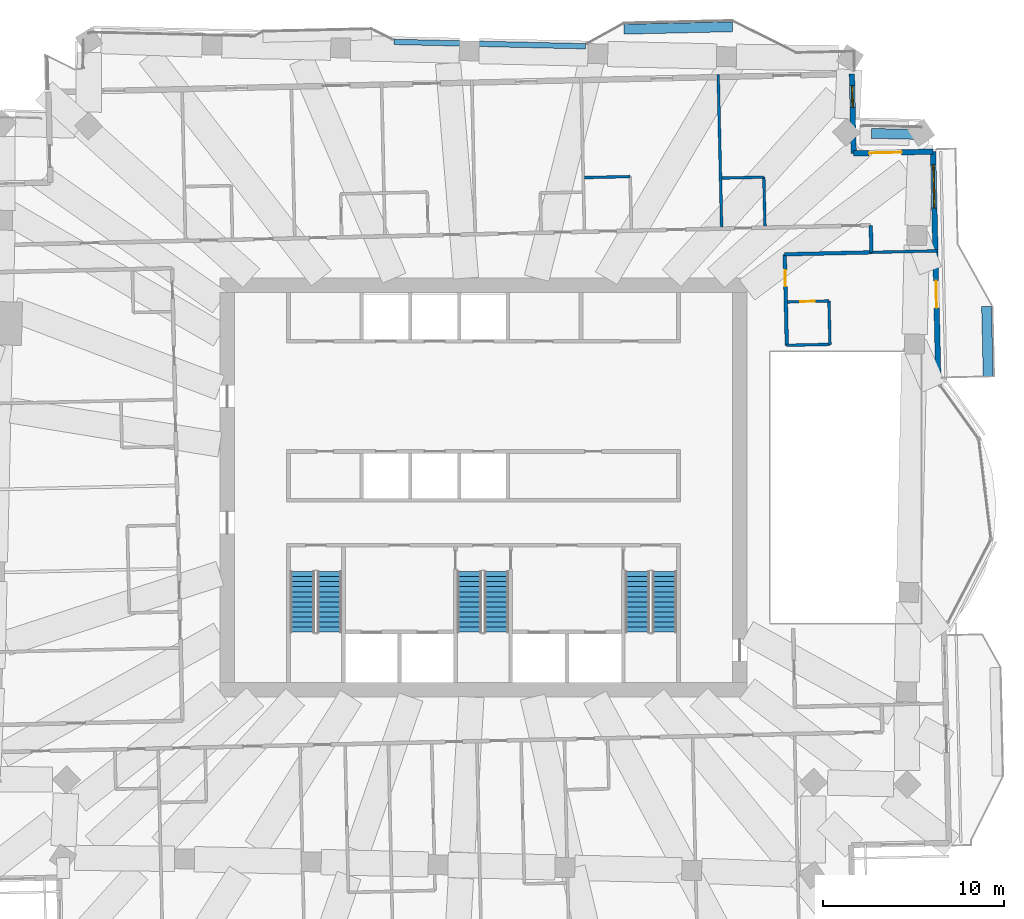
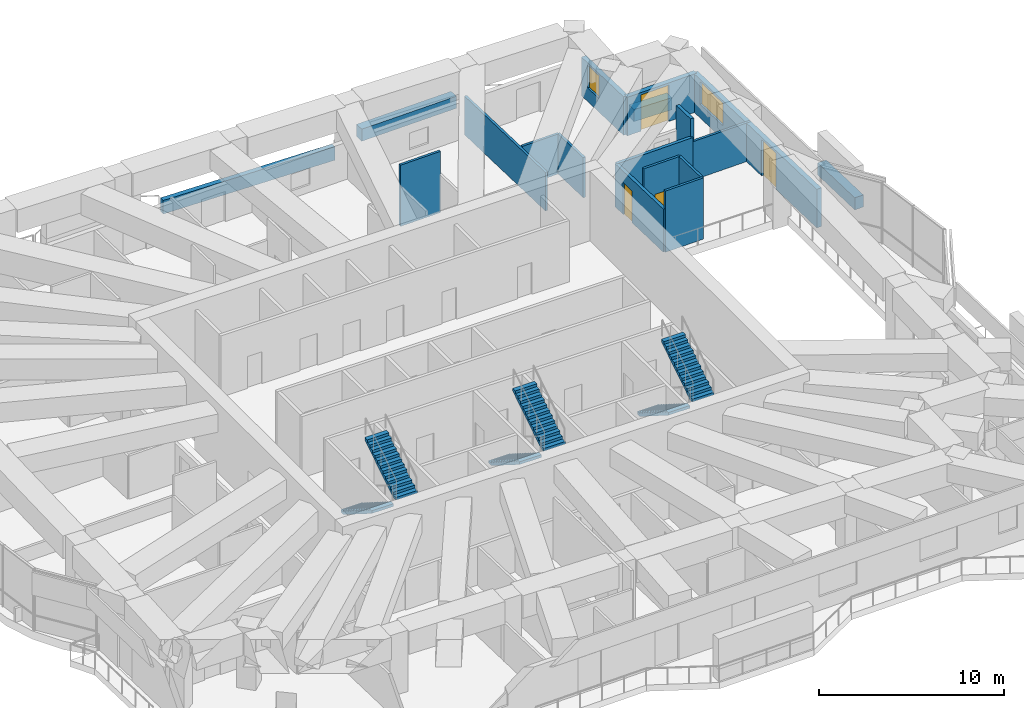
# One storey, part 14 of 19: 18 walls, 6 stair flights, 4 doors, 2 windows, 6 openings, 3 elements without a shape of their own.
"""IFC4 building model written with IfcOpenShell, lengths in metres."""

from ifc_helpers import new_model, si_unit, direction, frame, frame_2d, origin, place, context, subcontext, project, spatial, polyline, rectangle, outline, extrude, material, layer, layer_set, type_object, element, fill, aggregate, save


model = new_model("IFC4")

# Units and contexts
model_context = context("Model", 3, precision=1e-05, world=origin(), true_north=direction((0.0, 1.0)))
body_context = subcontext(model_context, "Body", "Model", "MODEL_VIEW")
ifc_project = project(units=[si_unit("LENGTHUNIT", "METRE"), si_unit("AREAUNIT", "SQUARE_METRE"), si_unit("VOLUMEUNIT", "CUBIC_METRE"), si_unit("PLANEANGLEUNIT", "RADIAN"), si_unit("MASSUNIT", "GRAM", prefix="KILO")], contexts=[model_context])

# Site, building, storey
site_placement = place(None, origin())
site = spatial("IfcSite", under=ifc_project, at=site_placement, CompositionType="ELEMENT")
building_placement = place(site_placement, origin())
building = spatial("IfcBuilding", under=site, at=building_placement, Name="Mangrove Gate Tower", CompositionType="ELEMENT")
storey_placement = place(building_placement, frame((0.0, 0.0, 226.5)))
storey = spatial("IfcBuildingStorey", under=building, at=storey_placement, Name="L57", CompositionType="ELEMENT", Elevation=226.5)

# Wall, opening, door
ifc_material_1 = material(Name="Gypsum board on steel stud, EI 60", Category="steel")
ifc_layer_1 = layer(ifc_material_1, 0.199951171875)
ifc_layer_set_1 = layer_set([ifc_layer_1], Name="Corridor wall EI 60")
wall_type_1 = type_object("IfcWallType", Name="Corridor wall EI 60", PredefinedType="PARTITIONING", material=ifc_layer_set_1)
wall_1_placement = place(storey_placement, frame((16.799072265625, 7.875, 0.0), z_axis=(0.0, 0.0, 1.0), x_axis=(-0.022791754614, 0.999740234222, 0.0)))
wall_1 = element("IfcWall", 1, at=wall_1_placement, inside=storey, type_object=wall_type_1, Name="WALL-L57-037", PredefinedType="PARTITIONING", context=body_context, shape_type="SweptSolid", body=[
    extrude(rectangle(XDim=5.045166015625, YDim=0.199951171875, at=frame_2d((2.5224609375, 0.0))), origin(), (0.0, 0.0, 1.0), 2.85009765625),
])
opening_1_placement = place(wall_1_placement, frame((3.27392578125, 0.0, 0.0)))
opening_1 = element("IfcOpeningElement", 2, at=opening_1_placement, cuts=wall_1, Name="Opening BD", PredefinedType="OPENING", context=body_context, shape_type="SweptSolid", body=[
    extrude(rectangle(XDim=0.89990234375, YDim=2.10009765625, at=frame_2d((0.449951171875, 1.050048828125))), frame((0.0, 0.10986328125, 0.0), z_axis=(0.0, -1.0, 0.0), x_axis=(1.0, 0.0, 0.0)), (0.0, 0.0, 1.0), 0.219970703125),
])
ifc_material_2 = material(Name="Timber door leaf", Category="wood")
door_type_1 = type_object("IfcDoorType", Name="Bedroom door 900", OperationType="SINGLE_SWING_LEFT", PredefinedType="DOOR", material=ifc_material_2)
door_1_placement = place(opening_1_placement, origin())
door_1 = element("IfcDoor", 3, at=door_1_placement, inside=storey, type_object=door_type_1, Name="DOOR-L57-BED-c304", OperationType="SINGLE_SWING_RIGHT", OverallHeight=2.10009765625, OverallWidth=0.89990234375, PredefinedType="DOOR", context=body_context, shape_type="SweptSolid", body=[
    extrude(rectangle(XDim=0.89990234375, YDim=2.10009765625, at=frame_2d((0.449951171875, 1.050048828125))), frame((0.0, 0.02490234375, 0.0), z_axis=(0.0, -1.0, 0.0), x_axis=(1.0, 0.0, 0.0)), (0.0, 0.0, 1.0), 0.050048828125),
])
fill(opening_1, door_1)

# Walls
wall_2_placement = place(storey_placement, frame((16.678955078125, 12.91796875, 0.0), z_axis=(0.0, 0.0, 1.0), x_axis=(0.999741966705, 0.022715633565, 0.0)))
element("IfcWall", 4, at=wall_2_placement, inside=storey, type_object=wall_type_1, Name="WALL-L57-046", PredefinedType="PARTITIONING", context=body_context, shape_type="SweptSolid", body=[
    extrude(rectangle(XDim=4.80419921875, YDim=0.199951171875, at=frame_2d((2.402099609375, 0.0))), origin(), (0.0, 0.0, 1.0), 2.85009765625),
])
wall_3_placement = place(storey_placement, frame((21.48291015625, 13.027099609375, 0.0), z_axis=(0.0, 0.0, 1.0), x_axis=(-0.022617910375, 0.999744182344, 0.0)))
element("IfcWall", 5, at=wall_3_placement, inside=storey, type_object=wall_type_1, Name="WALL-L57-048", PredefinedType="PARTITIONING", context=body_context, shape_type="SweptSolid", body=[
    extrude(rectangle(XDim=1.50048828125, YDim=0.199951171875, at=frame_2d((0.750244140625, 0.0))), origin(), (0.0, 0.0, 1.0), 4.050048828125),
])

# Wall, openings, door, window
ifc_material_3 = material(Name="Limestone", Category="masonry")
ifc_layer_2 = layer(ifc_material_3, 0.0400390625, Name="Limestone cladding")
ifc_material_4 = material(Name="Ventilated air gap")
ifc_layer_3 = layer(ifc_material_4, 0.0400390625, Name="Ventilated cavity")
ifc_material_5 = material(Name="Mineral wool insulation")
ifc_layer_4 = layer(ifc_material_5, 0.06005859375, Name="Insulation")
ifc_material_6 = material(Name="Breather membrane")
ifc_layer_5 = layer(ifc_material_6, 0.001953125, Name="Breather membrane")
ifc_material_7 = material(Name="Concrete C20/25 blockwork", Category="masonry")
ifc_layer_6 = layer(ifc_material_7, 0.14990234375, Name="Blockwork backing wall")
ifc_material_8 = material(Name="Gypsum plaster")
ifc_layer_7 = layer(ifc_material_8, 0.008056640625, Name="Internal plaster")
ifc_layer_set_2 = layer_set([ifc_layer_2, ifc_layer_3, ifc_layer_4, ifc_layer_5, ifc_layer_6, ifc_layer_7], Name="External wall 300 limestone cladding")
wall_type_2 = type_object("IfcWallType", Name="External wall 300 limestone cladding", PredefinedType="SOLIDWALL", material=ifc_layer_set_2)
wall_4_placement = place(storey_placement, frame((25.194091796875, 5.702880859375, 0.0), z_axis=(0.0, 0.0, 1.0), x_axis=(-0.022718397506, 0.999741903901, 0.0)))
wall_4 = element("IfcWall", 6, at=wall_4_placement, inside=storey, type_object=wall_type_2, Name="WALL-L57-E2", PredefinedType="SOLIDWALL", context=body_context, shape_type="SweptSolid", body=[
    extrude(rectangle(XDim=12.906494140625, YDim=0.300048828125, at=frame_2d((6.453125, 0.0))), origin(), (0.0, 0.0, 1.0), 2.550048828125),
])
opening_2_placement = place(wall_4_placement, frame((4.2529296875, 0.0, 0.0)))
opening_2 = element("IfcOpeningElement", 7, at=opening_2_placement, cuts=wall_4, Name="Opening BD1", PredefinedType="OPENING", context=body_context, shape_type="SweptSolid", body=[
    extrude(rectangle(XDim=1.5, YDim=2.39990234375, at=frame_2d((0.75, 1.199951171875))), frame((0.0, 0.159912109375, 0.0), z_axis=(0.0, -1.0, 0.0), x_axis=(1.0, 0.0, 0.0)), (0.0, 0.0, 1.0), 0.320068359375),
])
opening_3_placement = place(wall_4_placement, frame((9.781005859375, 0.0, 0.89990234375)))
opening_3 = element("IfcOpeningElement", 8, at=opening_3_placement, cuts=wall_4, Name="Opening W2", PredefinedType="OPENING", context=body_context, shape_type="SweptSolid", body=[
    extrude(rectangle(XDim=2.39990234375, YDim=1.5, at=frame_2d((1.199951171875, 0.75))), frame((0.0, 0.159912109375, 0.0), z_axis=(0.0, -1.0, 0.0), x_axis=(1.0, 0.0, 0.0)), (0.0, 0.0, 1.0), 0.320068359375),
])
ifc_material_9 = material(Name="Aluminium frame with laminated clear glass", Category="aluminium")
door_type_2 = type_object("IfcDoorType", Name="Balcony sliding door 1500x2400", OperationType="SLIDING_TO_LEFT", PredefinedType="DOOR", material=ifc_material_9)
door_2_placement = place(opening_2_placement, origin())
door_2 = element("IfcDoor", 9, at=door_2_placement, inside=storey, type_object=door_type_2, Name="DOOR-L57-E2-1", OperationType="SLIDING_TO_LEFT", OverallHeight=2.39990234375, OverallWidth=1.5, PredefinedType="DOOR", context=body_context, shape_type="SweptSolid", body=[
    extrude(rectangle(XDim=1.5, YDim=2.39990234375, at=frame_2d((0.75, 1.199951171875))), frame((0.0, 0.02490234375, 0.0), z_axis=(0.0, -1.0, 0.0), x_axis=(1.0, 0.0, 0.0)), (0.0, 0.0, 1.0), 0.050048828125),
])
fill(opening_2, door_2)
ifc_material_10 = material(Name="Aluminium frame with double-glazed low-e glass", Category="aluminium")
window_type_1 = type_object("IfcWindowType", Name="Corner room window 2400x1500", PartitioningType="DOUBLE_PANEL_VERTICAL", PredefinedType="WINDOW", material=ifc_material_10)
window_1_placement = place(opening_3_placement, origin())
window_1 = element("IfcWindow", 10, at=window_1_placement, inside=storey, type_object=window_type_1, Name="WIN-L57-E2-2", OverallHeight=1.5, OverallWidth=2.39990234375, PartitioningType="DOUBLE_PANEL_VERTICAL", PredefinedType="WINDOW", context=body_context, shape_type="SweptSolid", body=[
    extrude(rectangle(XDim=2.39990234375, YDim=1.5, at=frame_2d((1.199951171875, 0.75))), frame((0.0, 0.030029296875, 0.0), z_axis=(0.0, -1.0, 0.0), x_axis=(1.0, 0.0, 0.0)), (0.0, 0.0, 1.0), 0.06005859375),
])
fill(opening_3, window_1)

# Wall, opening, door
wall_5_placement = place(storey_placement, frame((24.90087890625, 18.60595703125, 0.0), z_axis=(0.0, 0.0, 1.0), x_axis=(-0.999747476176, -0.022471846368, 0.0)))
wall_5 = element("IfcWall", 11, at=wall_5_placement, inside=storey, type_object=wall_type_2, Name="WALL-L57-N3", PredefinedType="SOLIDWALL", context=body_context, shape_type="SweptSolid", body=[
    extrude(rectangle(XDim=4.400146484375, YDim=0.300048828125, at=frame_2d((2.2001953125, 0.0))), origin(), (0.0, 0.0, 1.0), 2.550048828125),
])
opening_4_placement = place(wall_5_placement, frame((1.75, 0.0, 0.0)))
opening_4 = element("IfcOpeningElement", 12, at=opening_4_placement, cuts=wall_5, Name="Opening TD1", PredefinedType="OPENING", context=body_context, shape_type="SweptSolid", body=[
    extrude(rectangle(XDim=1.800048828125, YDim=2.39990234375, at=frame_2d((0.89990234375, 1.199951171875))), frame((0.0, 0.159912109375, 0.0), z_axis=(0.0, -1.0, 0.0), x_axis=(1.0, 0.0, 0.0)), (0.0, 0.0, 1.0), 0.320068359375),
])
ifc_material_11 = material(Name="Aluminium frame with laminated clear glass", Category="aluminium")
door_type_3 = type_object("IfcDoorType", Name="Terrace door 1800x2400", OperationType="DOUBLE_DOOR_SINGLE_SWING", PredefinedType="DOOR", material=ifc_material_11)
door_3_placement = place(opening_4_placement, origin())
door_3 = element("IfcDoor", 13, at=door_3_placement, inside=storey, type_object=door_type_3, Name="DOOR-L57-N3-1", OperationType="DOUBLE_DOOR_SINGLE_SWING", OverallHeight=2.39990234375, OverallWidth=1.800048828125, PredefinedType="DOOR", context=body_context, shape_type="SweptSolid", body=[
    extrude(rectangle(XDim=1.800048828125, YDim=2.39990234375, at=frame_2d((0.89990234375, 1.199951171875))), frame((0.0, 0.02490234375, 0.0), z_axis=(0.0, -1.0, 0.0), x_axis=(1.0, 0.0, 0.0)), (0.0, 0.0, 1.0), 0.050048828125),
])
fill(opening_4, door_3)

# Wall, opening, window
wall_6_placement = place(storey_placement, frame((20.501953125, 18.507080078125, 0.0), z_axis=(0.0, 0.0, 1.0), x_axis=(-0.02247683371, 0.999747364061, 0.0)))
wall_6 = element("IfcWall", 14, at=wall_6_placement, inside=storey, type_object=wall_type_2, Name="WALL-L57-E4", PredefinedType="SOLIDWALL", context=body_context, shape_type="SweptSolid", body=[
    extrude(rectangle(XDim=4.399169921875, YDim=0.300048828125, at=frame_2d((2.19970703125, 0.0))), origin(), (0.0, 0.0, 1.0), 2.550048828125),
])
opening_5_placement = place(wall_6_placement, frame((2.551025390625, 0.0, 0.89990234375)))
opening_5 = element("IfcOpeningElement", 15, at=opening_5_placement, cuts=wall_6, Name="Opening W1", PredefinedType="OPENING", context=body_context, shape_type="SweptSolid", body=[
    extrude(rectangle(XDim=1.199951171875, YDim=1.5, at=frame_2d((0.60009765625, 0.75))), frame((0.0, 0.159912109375, 0.0), z_axis=(0.0, -1.0, 0.0), x_axis=(1.0, 0.0, 0.0)), (0.0, 0.0, 1.0), 0.320068359375),
])
ifc_material_12 = material(Name="Aluminium frame with double-glazed low-e glass", Category="aluminium")
window_type_2 = type_object("IfcWindowType", Name="Side lite 1200x1500", PartitioningType="SINGLE_PANEL", PredefinedType="WINDOW", material=ifc_material_12)
window_2_placement = place(opening_5_placement, origin())
window_2 = element("IfcWindow", 16, at=window_2_placement, inside=storey, type_object=window_type_2, Name="WIN-L57-E4-1", OverallHeight=1.5, OverallWidth=1.199951171875, PartitioningType="SINGLE_PANEL", PredefinedType="WINDOW", context=body_context, shape_type="SweptSolid", body=[
    extrude(rectangle(XDim=1.199951171875, YDim=1.5, at=frame_2d((0.60009765625, 0.75))), frame((0.0, 0.030029296875, 0.0), z_axis=(0.0, -1.0, 0.0), x_axis=(1.0, 0.0, 0.0)), (0.0, 0.0, 1.0), 0.06005859375),
])
fill(opening_5, window_2)

# Walls
ifc_layer_8 = layer(ifc_material_3, 0.0400390625, Name="Limestone cladding")
ifc_layer_9 = layer(ifc_material_4, 0.030029296875, Name="Ventilated cavity")
ifc_layer_10 = layer(ifc_material_5, 0.050048828125, Name="Insulation")
ifc_material_13 = material(Name="Concrete C32/40", Category="concrete")
ifc_layer_11 = layer(ifc_material_13, 0.179931640625, Name="Parapet core wall")
ifc_layer_set_3 = layer_set([ifc_layer_8, ifc_layer_9, ifc_layer_10, ifc_layer_11], Name="Parapet 300 limestone")
wall_type_3 = type_object("IfcWallType", Name="Parapet 300 limestone", PredefinedType="PARAPET", material=ifc_layer_set_3)
wall_7_placement = place(storey_placement, frame((-4.9541015625, 24.681884765625, 0.0), z_axis=(0.0, 0.0, 1.0), x_axis=(0.999743616241, -0.0226429191, 0.0)))
element("IfcWall", 17, at=wall_7_placement, inside=storey, type_object=wall_type_3, Name="PARAPET L57 T3.1.1", PredefinedType="PARAPET", context=body_context, shape_type="SweptSolid", body=[
    extrude(rectangle(XDim=10.598876953125, YDim=0.300048828125, at=frame_2d((5.29931640625, 0.0))), origin(), (0.0, 0.0, 1.0), 0.89990234375),
])
ifc_material_14 = material(Name="Gypsum board on steel stud, EI 60", Category="steel")
ifc_layer_12 = layer(ifc_material_14, 0.14990234375)
ifc_layer_set_4 = layer_set([ifc_layer_12], Name="Party wall 150 EI 60")
wall_type_4 = type_object("IfcWallType", Name="Party wall 150 EI 60", PredefinedType="PARTITIONING", material=ifc_layer_set_4)
wall_8_placement = place(storey_placement, frame((19.18798828125, 7.93310546875, 0.0), z_axis=(0.0, 0.0, 1.0), x_axis=(-0.022892431828, 0.999737933943, 0.0)))
element("IfcWall", 18, at=wall_8_placement, inside=storey, type_object=wall_type_4, Name="WALL-L57-038", PredefinedType="PARTITIONING", context=body_context, shape_type="SweptSolid", body=[
    extrude(rectangle(XDim=2.399658203125, YDim=0.14990234375, at=frame_2d((1.19970703125, 0.0))), origin(), (0.0, 0.0, 1.0), 4.050048828125),
])
wall_9_placement = place(storey_placement, frame((16.7939453125, 7.8798828125, 0.0), z_axis=(0.0, 0.0, 1.0), x_axis=(0.999744925027, 0.022585058854, 0.0)))
element("IfcWall", 19, at=wall_9_placement, inside=storey, type_object=wall_type_4, Name="WALL-L57-039", PredefinedType="PARTITIONING", context=body_context, shape_type="SweptSolid", body=[
    extrude(rectangle(XDim=2.39990234375, YDim=0.14990234375, at=frame_2d((1.199951171875, 0.0))), origin(), (0.0, 0.0, 1.0), 4.050048828125),
])

# Wall, opening, door
wall_10_placement = place(storey_placement, frame((16.839111328125, 10.281005859375, 0.0), z_axis=(0.0, 0.0, 1.0), x_axis=(0.999734549456, 0.023039761813, 0.0)))
wall_10 = element("IfcWall", 20, at=wall_10_placement, inside=storey, type_object=wall_type_4, Name="WALL-L57-040", PredefinedType="PARTITIONING", context=body_context, shape_type="SweptSolid", body=[
    extrude(rectangle(XDim=2.299560546875, YDim=0.14990234375, at=frame_2d((1.14990234375, 0.0))), origin(), (0.0, 0.0, 1.0), 4.050048828125),
])
opening_6_placement = place(wall_10_placement, frame((0.699951171875, 0.0, 0.0)))
opening_6 = element("IfcOpeningElement", 21, at=opening_6_placement, cuts=wall_10, Name="Opening ED", PredefinedType="OPENING", context=body_context, shape_type="SweptSolid", body=[
    extrude(rectangle(XDim=0.800048828125, YDim=2.10009765625, at=frame_2d((0.39990234375, 1.050048828125))), frame((0.0, 0.0849609375, 0.0), z_axis=(0.0, -1.0, 0.0), x_axis=(1.0, 0.0, 0.0)), (0.0, 0.0, 1.0), 0.169921875),
])
ifc_material_15 = material(Name="Timber door leaf", Category="wood")
door_type_4 = type_object("IfcDoorType", Name="En-suite door 800", OperationType="SINGLE_SWING_LEFT", PredefinedType="DOOR", material=ifc_material_15)
door_4_placement = place(opening_6_placement, origin())
door_4 = element("IfcDoor", 22, at=door_4_placement, inside=storey, type_object=door_type_4, Name="DOOR-L57-ENS-c304", OperationType="SINGLE_SWING_RIGHT", OverallHeight=2.10009765625, OverallWidth=0.800048828125, PredefinedType="DOOR", context=body_context, shape_type="SweptSolid", body=[
    extrude(rectangle(XDim=0.800048828125, YDim=2.10009765625, at=frame_2d((0.39990234375, 1.050048828125))), frame((0.0, 0.02490234375, 0.0), z_axis=(0.0, -1.0, 0.0), x_axis=(1.0, 0.0, 0.0)), (0.0, 0.0, 1.0), 0.050048828125),
])
fill(opening_6, door_4)

# Walls
wall_11_placement = place(storey_placement, frame((21.48193359375, 13.027099609375, 0.0), z_axis=(0.0, 0.0, 1.0), x_axis=(0.999741664963, 0.022728909705, 0.0)))
element("IfcWall", 23, at=wall_11_placement, inside=storey, type_object=wall_type_4, Name="WALL-L57-047", PredefinedType="PARTITIONING", context=body_context, shape_type="SweptSolid", body=[
    extrude(rectangle(XDim=3.695068359375, YDim=0.14990234375, at=frame_2d((1.84765625, 0.0))), origin(), (0.0, 0.0, 1.0), 2.550048828125),
])
wall_12_placement = place(storey_placement, frame((13.18896484375, 14.43994140625, 0.0), z_axis=(0.0, 0.0, 1.0), x_axis=(-0.022711559831, 0.999742059258, 0.0)))
element("IfcWall", 24, at=wall_12_placement, inside=storey, type_object=wall_type_4, Name="WALL-L57-060", PredefinedType="PARTITIONING", context=body_context, shape_type="SweptSolid", body=[
    extrude(rectangle(XDim=8.44921875, YDim=0.14990234375, at=frame_2d((4.224609375, 0.0))), origin(), (0.0, 0.0, 1.0), 2.550048828125),
])
wall_13_placement = place(storey_placement, frame((15.587890625, 14.493896484375, 0.0), z_axis=(0.0, 0.0, 1.0), x_axis=(-0.022515998029, 0.999746482781, 0.0)))
element("IfcWall", 25, at=wall_13_placement, inside=storey, type_object=wall_type_4, Name="WALL-L57-061", PredefinedType="PARTITIONING", context=body_context, shape_type="SweptSolid", body=[
    extrude(rectangle(XDim=2.699951171875, YDim=0.14990234375, at=frame_2d((1.35009765625, 0.0))), origin(), (0.0, 0.0, 1.0), 2.64990234375),
])
wall_14_placement = place(storey_placement, frame((13.198974609375, 17.14111328125, 0.0), z_axis=(0.0, 0.0, 1.0), x_axis=(0.999749744571, 0.022370700241, 0.0)))
element("IfcWall", 26, at=wall_14_placement, inside=storey, type_object=wall_type_4, Name="WALL-L57-064", PredefinedType="PARTITIONING", context=body_context, shape_type="SweptSolid", body=[
    extrude(rectangle(XDim=2.324462890625, YDim=0.14990234375, at=frame_2d((1.162109375, 0.0))), origin(), (0.0, 0.0, 1.0), 2.64990234375),
])
wall_15_placement = place(storey_placement, frame((5.595947265625, 17.16796875, 0.0), z_axis=(0.0, 0.0, 1.0), x_axis=(0.999743977673, 0.022626955293, 0.0)))
element("IfcWall", 27, at=wall_15_placement, inside=storey, type_object=wall_type_4, Name="WALL-L57-066", PredefinedType="PARTITIONING", context=body_context, shape_type="SweptSolid", body=[
    extrude(rectangle(XDim=2.52490234375, YDim=0.14990234375, at=frame_2d((1.262451171875, 0.0))), origin(), (0.0, 0.0, 1.0), 4.050048828125),
])
ifc_layer_13 = layer(ifc_material_13, 0.199951171875, Name="Planter trough wall")
ifc_material_16 = material(Name="Bituminous waterproofing membrane")
ifc_layer_14 = layer(ifc_material_16, 0.0048828125, Name="Waterproofing")
ifc_material_17 = material(Name="Drainage board and gravel")
ifc_layer_15 = layer(ifc_material_17, 0.044921875, Name="Drainage layer")
ifc_material_18 = material(Name="Planting soil")
ifc_layer_16 = layer(ifc_material_18, 0.300048828125, Name="Growing medium")
ifc_layer_set_5 = layer_set([ifc_layer_13, ifc_layer_14, ifc_layer_15, ifc_layer_16], Name="Planter wall 550 C32/40")
wall_type_5 = type_object("IfcWallType", Name="Planter wall 550 C32/40", PredefinedType="USERDEFINED", material=ifc_layer_set_5)
wall_16_placement = place(storey_placement, frame((27.949951171875, 6.14794921875, 0.0), z_axis=(0.0, 0.0, 1.0), x_axis=(-0.022681332769, 0.999742745482, 0.0)))
element("IfcWall", 28, at=wall_16_placement, inside=storey, type_object=wall_type_5, Name="PLANTER L57 E1.1", ObjectType="PLANTER", PredefinedType="USERDEFINED", context=body_context, shape_type="SweptSolid", body=[
    extrude(rectangle(XDim=3.875, YDim=0.550048828125, at=frame_2d((1.9375, 0.0))), origin(), (0.0, 0.0, 1.0), 0.800048828125),
])
wall_17_placement = place(storey_placement, frame((7.7890625, 25.385009765625, 0.0), z_axis=(0.0, 0.0, 1.0), x_axis=(0.999743094499, 0.022665943652, 0.0)))
element("IfcWall", 29, at=wall_17_placement, inside=storey, type_object=wall_type_5, Name="PLANTER L57 N0.1", ObjectType="PLANTER", PredefinedType="USERDEFINED", context=body_context, shape_type="SweptSolid", body=[
    extrude(rectangle(XDim=5.99951171875, YDim=0.550048828125, at=frame_2d((2.999755859375, 0.0))), origin(), (0.0, 0.0, 1.0), 0.800048828125),
])
wall_18_placement = place(storey_placement, frame((21.48095703125, 19.615966796875, 0.0), z_axis=(0.0, 0.0, 1.0), x_axis=(0.999746842804, -0.02250000673, 0.0)))
element("IfcWall", 30, at=wall_18_placement, inside=storey, type_object=wall_type_5, Name="PLANTER L57 T1.1.6", ObjectType="PLANTER", PredefinedType="USERDEFINED", context=body_context, shape_type="SweptSolid", body=[
    extrude(rectangle(XDim=2.3544921875, YDim=0.550048828125, at=frame_2d((1.17724609375, 0.0))), origin(), (0.0, 0.0, 1.0), 0.800048828125),
])

# Stair, stair flights
ifc_material_19 = material(Name="Concrete C40/50", Category="concrete")
stair_type = type_object("IfcStairType", Name="Core stair 1350", PredefinedType="HALF_TURN_STAIR", material=ifc_material_19)
stair_1_placement = place(storey_placement, origin())
stair_1 = element("IfcStair", 31, at=stair_1_placement, inside=storey, type_object=stair_type, Name="L57 Stair 1", PredefinedType="HALF_TURN_STAIR")
ifc_material_20 = material(Name="Concrete C40/50", Category="concrete")
stair_flight_type = type_object("IfcStairFlightType", Name="Core stair flight 1350", PredefinedType="STRAIGHT", material=ifc_material_20)
stair_flight_1_placement = place(storey_placement, frame((-10.02490234375, -4.64990234375, 0.0), z_axis=(0.0, 0.0, 1.0), x_axis=(0.0, -1.0, 0.0)))
stair_flight_1 = element("IfcStairFlight", 32, at=stair_flight_1_placement, type_object=stair_flight_type, Name="ST1 flight 1", NumberOfRisers=13, NumberOfTreads=12, PredefinedType="STRAIGHT", RiserHeight=0.176923077, TreadLength=0.28, context=body_context, shape_type="SweptSolid", body=[
    extrude(outline(polyline([(0.0, 0.0), (0.0, 0.177001953125), (0.280029296875, 0.177001953125), (0.280029296875, 0.353759765625), (0.56005859375, 0.353759765625), (0.56005859375, 0.53076171875), (0.840087890625, 0.53076171875), (0.840087890625, 0.707763671875), (1.1201171875, 0.707763671875), (1.1201171875, 0.884521484375), (1.39990234375, 0.884521484375), (1.39990234375, 1.0615234375), (1.679931640625, 1.0615234375), (1.679931640625, 1.238525390625), (1.9599609375, 1.238525390625), (1.9599609375, 1.415283203125), (2.239990234375, 1.415283203125), (2.239990234375, 1.59228515625), (2.52001953125, 1.59228515625), (2.52001953125, 1.769287109375), (2.800048828125, 1.769287109375), (2.800048828125, 1.946044921875), (3.080078125, 1.946044921875), (3.080078125, 2.123046875), (3.360107421875, 2.123046875), (3.360107421875, 2.300048828125), (3.360107421875, 1.94580078125), (0.280517578125, 0.0), (0.0, 0.0)])), frame((0.0, 0.675048828125, 0.0), z_axis=(0.0, -1.0, 0.0), x_axis=(1.0, 0.0, 0.0)), (0.0, 0.0, 1.0), 1.35009765625),
])
stair_flight_2_placement = place(storey_placement, frame((-8.52490234375, -8.010009765625, 2.300048828125), z_axis=(0.0, 0.0, 1.0), x_axis=(0.0, 1.0, 0.0)))
stair_flight_2 = element("IfcStairFlight", 33, at=stair_flight_2_placement, type_object=stair_flight_type, Name="ST1 flight 2", NumberOfRisers=13, NumberOfTreads=12, PredefinedType="STRAIGHT", RiserHeight=0.176923077, TreadLength=0.28, context=body_context, shape_type="SweptSolid", body=[
    extrude(outline(polyline([(0.0, 0.0), (0.0, 0.177001953125), (0.280029296875, 0.177001953125), (0.280029296875, 0.353759765625), (0.56005859375, 0.353759765625), (0.56005859375, 0.53076171875), (0.840087890625, 0.53076171875), (0.840087890625, 0.707763671875), (1.1201171875, 0.707763671875), (1.1201171875, 0.884521484375), (1.39990234375, 0.884521484375), (1.39990234375, 1.0615234375), (1.679931640625, 1.0615234375), (1.679931640625, 1.238525390625), (1.9599609375, 1.238525390625), (1.9599609375, 1.415283203125), (2.239990234375, 1.415283203125), (2.239990234375, 1.59228515625), (2.52001953125, 1.59228515625), (2.52001953125, 1.769287109375), (2.800048828125, 1.769287109375), (2.800048828125, 1.946044921875), (3.080078125, 1.946044921875), (3.080078125, 2.123046875), (3.360107421875, 2.123046875), (3.360107421875, 2.300048828125), (3.360107421875, 1.94580078125), (0.280517578125, 0.0), (0.0, 0.0)])), frame((0.0, 0.675048828125, 0.0), z_axis=(0.0, -1.0, 0.0), x_axis=(1.0, 0.0, 0.0)), (0.0, 0.0, 1.0), 1.35009765625),
])
aggregate(stair_1, [stair_flight_1, stair_flight_2])

stair_2_placement = place(storey_placement, origin())
stair_2 = element("IfcStair", 34, at=stair_2_placement, inside=storey, type_object=stair_type, Name="L57 Stair 2", PredefinedType="HALF_TURN_STAIR")
stair_flight_3_placement = place(storey_placement, frame((-0.77490234375, -4.64990234375, 0.0), z_axis=(0.0, 0.0, 1.0), x_axis=(0.0, -1.0, 0.0)))
stair_flight_3 = element("IfcStairFlight", 35, at=stair_flight_3_placement, type_object=stair_flight_type, Name="ST2 flight 1", NumberOfRisers=13, NumberOfTreads=12, PredefinedType="STRAIGHT", RiserHeight=0.176923077, TreadLength=0.28, context=body_context, shape_type="SweptSolid", body=[
    extrude(outline(polyline([(0.0, 0.0), (0.0, 0.177001953125), (0.280029296875, 0.177001953125), (0.280029296875, 0.353759765625), (0.56005859375, 0.353759765625), (0.56005859375, 0.53076171875), (0.840087890625, 0.53076171875), (0.840087890625, 0.707763671875), (1.1201171875, 0.707763671875), (1.1201171875, 0.884521484375), (1.39990234375, 0.884521484375), (1.39990234375, 1.0615234375), (1.679931640625, 1.0615234375), (1.679931640625, 1.238525390625), (1.9599609375, 1.238525390625), (1.9599609375, 1.415283203125), (2.239990234375, 1.415283203125), (2.239990234375, 1.59228515625), (2.52001953125, 1.59228515625), (2.52001953125, 1.769287109375), (2.800048828125, 1.769287109375), (2.800048828125, 1.946044921875), (3.080078125, 1.946044921875), (3.080078125, 2.123046875), (3.360107421875, 2.123046875), (3.360107421875, 2.300048828125), (3.360107421875, 1.94580078125), (0.280517578125, 0.0), (0.0, 0.0)])), frame((0.0, 0.675048828125, 0.0), z_axis=(0.0, -1.0, 0.0), x_axis=(1.0, 0.0, 0.0)), (0.0, 0.0, 1.0), 1.35009765625),
])
stair_flight_4_placement = place(storey_placement, frame((0.72509765625, -8.010009765625, 2.300048828125), z_axis=(0.0, 0.0, 1.0), x_axis=(0.0, 1.0, 0.0)))
stair_flight_4 = element("IfcStairFlight", 36, at=stair_flight_4_placement, type_object=stair_flight_type, Name="ST2 flight 2", NumberOfRisers=13, NumberOfTreads=12, PredefinedType="STRAIGHT", RiserHeight=0.176923077, TreadLength=0.28, context=body_context, shape_type="SweptSolid", body=[
    extrude(outline(polyline([(0.0, 0.0), (0.0, 0.177001953125), (0.280029296875, 0.177001953125), (0.280029296875, 0.353759765625), (0.56005859375, 0.353759765625), (0.56005859375, 0.53076171875), (0.840087890625, 0.53076171875), (0.840087890625, 0.707763671875), (1.1201171875, 0.707763671875), (1.1201171875, 0.884521484375), (1.39990234375, 0.884521484375), (1.39990234375, 1.0615234375), (1.679931640625, 1.0615234375), (1.679931640625, 1.238525390625), (1.9599609375, 1.238525390625), (1.9599609375, 1.415283203125), (2.239990234375, 1.415283203125), (2.239990234375, 1.59228515625), (2.52001953125, 1.59228515625), (2.52001953125, 1.769287109375), (2.800048828125, 1.769287109375), (2.800048828125, 1.946044921875), (3.080078125, 1.946044921875), (3.080078125, 2.123046875), (3.360107421875, 2.123046875), (3.360107421875, 2.300048828125), (3.360107421875, 1.94580078125), (0.280517578125, 0.0), (0.0, 0.0)])), frame((0.0, 0.675048828125, 0.0), z_axis=(0.0, -1.0, 0.0), x_axis=(1.0, 0.0, 0.0)), (0.0, 0.0, 1.0), 1.35009765625),
])
aggregate(stair_2, [stair_flight_3, stair_flight_4])

stair_3_placement = place(storey_placement, origin())
stair_3 = element("IfcStair", 37, at=stair_3_placement, inside=storey, type_object=stair_type, Name="L57 Stair 3", PredefinedType="HALF_TURN_STAIR")
stair_flight_5_placement = place(storey_placement, frame((8.52490234375, -4.64990234375, 0.0), z_axis=(0.0, 0.0, 1.0), x_axis=(0.0, -1.0, 0.0)))
stair_flight_5 = element("IfcStairFlight", 38, at=stair_flight_5_placement, type_object=stair_flight_type, Name="ST3 flight 1", NumberOfRisers=13, NumberOfTreads=12, PredefinedType="STRAIGHT", RiserHeight=0.176923077, TreadLength=0.28, context=body_context, shape_type="SweptSolid", body=[
    extrude(outline(polyline([(0.0, 0.0), (0.0, 0.177001953125), (0.280029296875, 0.177001953125), (0.280029296875, 0.353759765625), (0.56005859375, 0.353759765625), (0.56005859375, 0.53076171875), (0.840087890625, 0.53076171875), (0.840087890625, 0.707763671875), (1.1201171875, 0.707763671875), (1.1201171875, 0.884521484375), (1.39990234375, 0.884521484375), (1.39990234375, 1.0615234375), (1.679931640625, 1.0615234375), (1.679931640625, 1.238525390625), (1.9599609375, 1.238525390625), (1.9599609375, 1.415283203125), (2.239990234375, 1.415283203125), (2.239990234375, 1.59228515625), (2.52001953125, 1.59228515625), (2.52001953125, 1.769287109375), (2.800048828125, 1.769287109375), (2.800048828125, 1.946044921875), (3.080078125, 1.946044921875), (3.080078125, 2.123046875), (3.360107421875, 2.123046875), (3.360107421875, 2.300048828125), (3.360107421875, 1.94580078125), (0.280517578125, 0.0), (0.0, 0.0)])), frame((0.0, 0.675048828125, 0.0), z_axis=(0.0, -1.0, 0.0), x_axis=(1.0, 0.0, 0.0)), (0.0, 0.0, 1.0), 1.35009765625),
])
stair_flight_6_placement = place(storey_placement, frame((10.02490234375, -8.010009765625, 2.300048828125), z_axis=(0.0, 0.0, 1.0), x_axis=(0.0, 1.0, 0.0)))
stair_flight_6 = element("IfcStairFlight", 39, at=stair_flight_6_placement, type_object=stair_flight_type, Name="ST3 flight 2", NumberOfRisers=13, NumberOfTreads=12, PredefinedType="STRAIGHT", RiserHeight=0.176923077, TreadLength=0.28, context=body_context, shape_type="SweptSolid", body=[
    extrude(outline(polyline([(0.0, 0.0), (0.0, 0.177001953125), (0.280029296875, 0.177001953125), (0.280029296875, 0.353759765625), (0.56005859375, 0.353759765625), (0.56005859375, 0.53076171875), (0.840087890625, 0.53076171875), (0.840087890625, 0.707763671875), (1.1201171875, 0.707763671875), (1.1201171875, 0.884521484375), (1.39990234375, 0.884521484375), (1.39990234375, 1.0615234375), (1.679931640625, 1.0615234375), (1.679931640625, 1.238525390625), (1.9599609375, 1.238525390625), (1.9599609375, 1.415283203125), (2.239990234375, 1.415283203125), (2.239990234375, 1.59228515625), (2.52001953125, 1.59228515625), (2.52001953125, 1.769287109375), (2.800048828125, 1.769287109375), (2.800048828125, 1.946044921875), (3.080078125, 1.946044921875), (3.080078125, 2.123046875), (3.360107421875, 2.123046875), (3.360107421875, 2.300048828125), (3.360107421875, 1.94580078125), (0.280517578125, 0.0), (0.0, 0.0)])), frame((0.0, 0.675048828125, 0.0), z_axis=(0.0, -1.0, 0.0), x_axis=(1.0, 0.0, 0.0)), (0.0, 0.0, 1.0), 1.35009765625),
])
aggregate(stair_3, [stair_flight_5, stair_flight_6])

save(model, "model.ifc")
